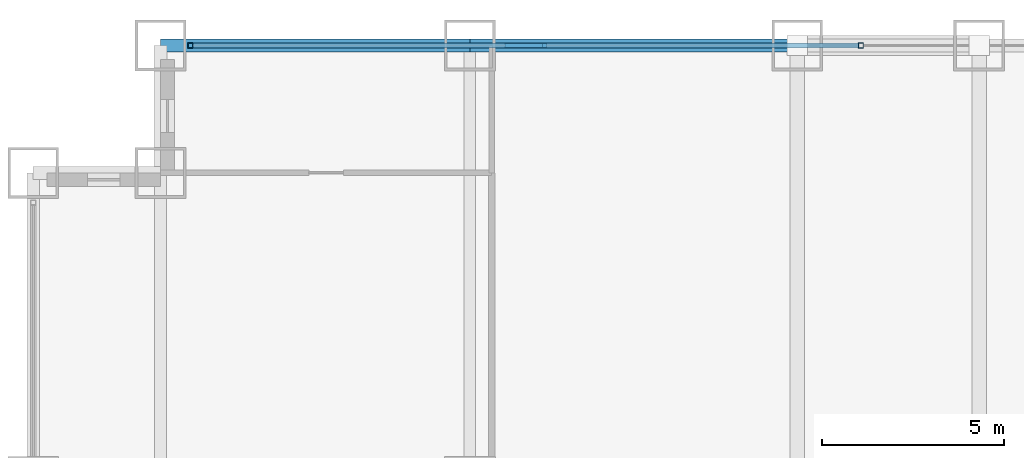
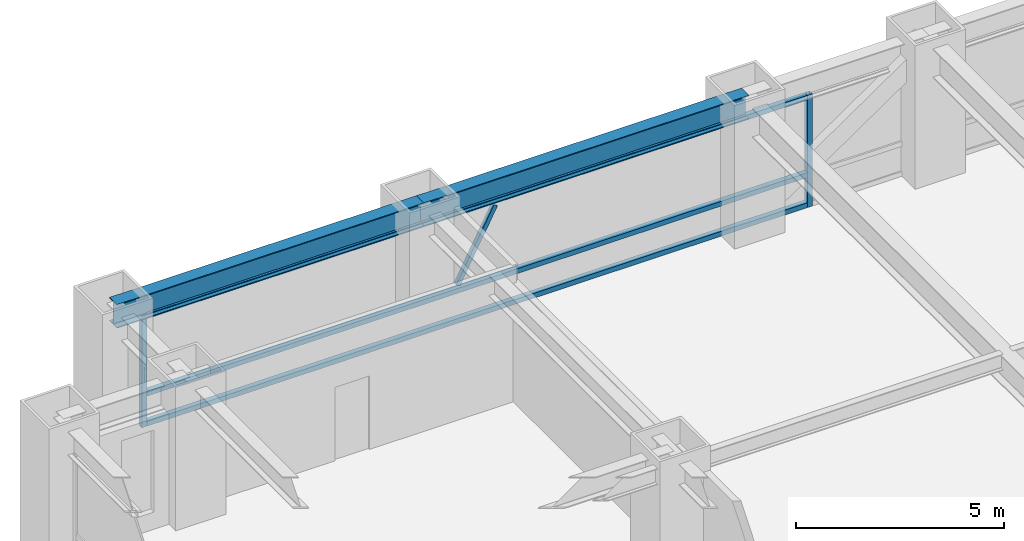
# One storey, part 19 of 28: 6 members, 2 beams, 1 element without a shape of its own.
"""IFC4 building model written with IfcOpenShell, lengths in metres."""

from ifc_helpers import new_model, si_unit, direction, frame, origin, origin_2d, place, context, subcontext, project, spatial, hollow_rectangle, i_section, extrude, source, transform, mapped, material, material_profile, profile_set, type_object, element, aggregate, save


model = new_model("IFC4")

# Units and contexts
model_context = context("Model", 3, precision=1e-05, world=origin(), true_north=direction((0.0, 1.0)))
body_context = subcontext(model_context, "Body", "Model", "MODEL_VIEW")
ifc_project = project(units=[si_unit("LENGTHUNIT", "METRE"), si_unit("AREAUNIT", "SQUARE_METRE"), si_unit("VOLUMEUNIT", "CUBIC_METRE"), si_unit("PLANEANGLEUNIT", "RADIAN"), si_unit("MASSUNIT", "GRAM", prefix="KILO")], contexts=[model_context])

# Site, building, storey
site_placement = place(None, origin())
site = spatial("IfcSite", under=ifc_project, at=site_placement, CompositionType="ELEMENT")
building_placement = place(site_placement, origin())
building = spatial("IfcBuilding", under=site, at=building_placement, Name="Khorayat Bourse Tower", CompositionType="ELEMENT")
storey_placement = place(building_placement, frame((0.0, 0.0, 57.800048828125)))
storey = spatial("IfcBuildingStorey", under=building, at=storey_placement, Name="L12", CompositionType="ELEMENT", Elevation=57.800048828125)

# Beams
ifc_material_1 = material(Name="Steel ASTM A992 Grade 50", Category="steel")
ifc_material_profile_1 = material_profile(ifc_material_1, i_section(OverallWidth=0.35498046875, OverallDepth=0.695068359375, WebThickness=0.015380859375, FlangeThickness=0.02490234375, FilletRadius=0.01806640625, at=origin_2d()), Name="W690X217")
ifc_profile_set_1 = profile_set([ifc_material_profile_1], Name="Steel ASTM A992 Grade 50")
beam_type = type_object("IfcBeamType", Name="BM-SPAN-690", PredefinedType="SPANDREL", material=ifc_profile_set_1)
shared_shape_1 = source(origin(), body_context, "Body", "SweptSolid", [
    extrude(i_section(OverallWidth=0.35498046875, OverallDepth=0.695068359375, WebThickness=0.015380859375, FlangeThickness=0.02490234375, FilletRadius=0.01806640625, at=origin_2d()), origin(), (0.0, 0.0, 1.0), 8.5),
])
beam_1_placement = place(storey_placement, frame((-28.5, 32.0, 3.592529296875), z_axis=(1.0, 0.0, 0.0), x_axis=(0.0, 1.0, 0.0)))
element("IfcBeam", 1, at=beam_1_placement, inside=storey, type_object=beam_type, Name="L12 BM-SPAN-690 BM-L12-SPN-051", PredefinedType="SPANDREL", context=body_context, shape_type="MappedRepresentation", body=[
    mapped(shared_shape_1, transform((0.0, 0.0, 0.0), scale=1.0)),
])
shared_shape_2 = source(origin(), body_context, "Body", "SweptSolid", [
    extrude(i_section(OverallWidth=0.35498046875, OverallDepth=0.695068359375, WebThickness=0.015380859375, FlangeThickness=0.02490234375, FilletRadius=0.01806640625, at=origin_2d()), origin(), (0.0, 0.0, 1.0), 9.0),
])
beam_2_placement = place(storey_placement, frame((-20.0, 32.0, 3.592529296875), z_axis=(1.0, 0.0, 0.0), x_axis=(0.0, 1.0, 0.0)))
element("IfcBeam", 2, at=beam_2_placement, inside=storey, type_object=beam_type, Name="L12 BM-SPAN-690 BM-L12-SPN-050", PredefinedType="SPANDREL", context=body_context, shape_type="MappedRepresentation", body=[
    mapped(shared_shape_2, transform((0.0, 0.0, 0.0), scale=1.0)),
])

# Curtain wall, members
ifc_material_2 = material(Name="Aluminium EN AW-6063 T6", Category="aluminium")
curtain_wall_type = type_object("IfcCurtainWallType", Name="CW-SYS-02", PredefinedType="NOTDEFINED", material=ifc_material_2)
curtain_wall_placement = place(storey_placement, origin())
curtain_wall = element("IfcCurtainWall", 3, at=curtain_wall_placement, inside=storey, type_object=curtain_wall_type, Name="L12 Curtain Wall CW-L12-N1", PredefinedType="NOTDEFINED")
ifc_material_profile_2 = material_profile(ifc_material_2, hollow_rectangle(XDim=0.139892578125, YDim=0.139892578125, WallThickness=0.006103515625, at=origin_2d()), Name="ALU 140x140x6")
ifc_profile_set_2 = profile_set([ifc_material_profile_2], Name="Aluminium EN AW-6063 T6")
member_type_1 = type_object("IfcMemberType", Name="CWT-HORZ-140", PredefinedType="USERDEFINED", material=ifc_profile_set_2)
shared_shape_3 = source(origin(), body_context, "Body", "SweptSolid", [
    extrude(hollow_rectangle(XDim=0.139892578125, YDim=0.139892578125, WallThickness=0.006103515625, at=origin_2d()), origin(), (0.0, 0.0, 1.0), 18.2900390625),
])
member_1_placement = place(storey_placement, frame((-27.610107421875, 32.0, 0.070068359375), z_axis=(1.0, 0.0, 0.0), x_axis=(0.0, 1.0, 0.0)))
member_1 = element("IfcMember", 4, at=member_1_placement, type_object=member_type_1, Name="CW-L12-N1 Horizontal Transom 1-1", ObjectType="TRANSOM", PredefinedType="USERDEFINED", context=body_context, shape_type="MappedRepresentation", body=[
    mapped(shared_shape_3, transform((0.0, 0.0, 0.0), scale=1.0)),
])
member_2_placement = place(storey_placement, frame((-27.610107421875, 32.0, 0.949951171875), z_axis=(1.0, 0.0, 0.0), x_axis=(0.0, 1.0, 0.0)))
member_2 = element("IfcMember", 5, at=member_2_placement, type_object=member_type_1, Name="CW-L12-N1 Horizontal Transom 1-2", ObjectType="TRANSOM", PredefinedType="USERDEFINED", context=body_context, shape_type="MappedRepresentation", body=[
    mapped(shared_shape_3, transform((0.0, 0.0, 0.0), scale=1.0)),
])
member_3_placement = place(storey_placement, frame((-27.610107421875, 32.0, 3.219970703125), z_axis=(1.0, 0.0, 0.0), x_axis=(0.0, 1.0, 0.0)))
member_3 = element("IfcMember", 6, at=member_3_placement, type_object=member_type_1, Name="CW-L12-N1 Horizontal Transom 1-3", ObjectType="TRANSOM", PredefinedType="USERDEFINED", context=body_context, shape_type="MappedRepresentation", body=[
    mapped(shared_shape_3, transform((0.0, 0.0, 0.0), scale=1.0)),
])
ifc_material_profile_3 = material_profile(ifc_material_2, hollow_rectangle(XDim=0.139892578125, YDim=0.139892578125, WallThickness=0.006103515625, at=origin_2d()), Name="ALU 140x140x6")
ifc_profile_set_3 = profile_set([ifc_material_profile_3], Name="Aluminium EN AW-6063 T6")
member_type_2 = type_object("IfcMemberType", Name="CWM-VERT-140", PredefinedType="MULLION", material=ifc_profile_set_3)
shared_shape_4 = source(origin(), body_context, "Body", "SweptSolid", [
    extrude(hollow_rectangle(XDim=0.139892578125, YDim=0.139892578125, WallThickness=0.006103515625, at=origin_2d()), origin(), (0.0, 0.0, 1.0), 3.2900390625),
])
member_4_placement = place(storey_placement, frame((-27.679931640625, 32.0, 0.0), z_axis=(0.0, 0.0, 1.0), x_axis=(0.0, 1.0, 0.0)))
member_4 = element("IfcMember", 7, at=member_4_placement, type_object=member_type_2, Name="CW-L12-N1 Vertical Mullion 1", PredefinedType="MULLION", context=body_context, shape_type="MappedRepresentation", body=[
    mapped(shared_shape_4, transform((0.0, 0.0, 0.0), scale=1.0)),
])
member_5_placement = place(storey_placement, frame((-9.25, 32.0, 0.0), z_axis=(0.0, 0.0, 1.0), x_axis=(0.0, 1.0, 0.0)))
member_5 = element("IfcMember", 8, at=member_5_placement, type_object=member_type_2, Name="CW-L12-N1 Vertical Mullion 2", PredefinedType="MULLION", context=body_context, shape_type="MappedRepresentation", body=[
    mapped(shared_shape_4, transform((0.0, 0.0, 0.0), scale=1.0)),
])
ifc_material_profile_4 = material_profile(ifc_material_2, hollow_rectangle(XDim=0.1201171875, YDim=0.1201171875, WallThickness=0.0048828125, at=origin_2d()), Name="ALU 120x120x5")
ifc_profile_set_4 = profile_set([ifc_material_profile_4], Name="Aluminium EN AW-6063 T6")
member_type_3 = type_object("IfcMemberType", Name="CWM-DIAG-120", PredefinedType="MULLION", material=ifc_profile_set_4)
shared_shape_5 = source(origin(), body_context, "Body", "SweptSolid", [
    extrude(hollow_rectangle(XDim=0.1201171875, YDim=0.1201171875, WallThickness=0.0048828125, at=origin_2d()), origin(), (0.0, 0.0, 1.0), 2.226318359375),
])
member_6_placement = place(storey_placement, frame((-18.9833984375, 32.0, 1.099853515625), z_axis=(0.465714796031, 0.0, 0.884934872608), x_axis=(0.0, 1.0, 0.0)))
member_6 = element("IfcMember", 9, at=member_6_placement, type_object=member_type_3, Name="CW-L12-N1 Faceted Diagonal Mullion 1", PredefinedType="MULLION", context=body_context, shape_type="MappedRepresentation", body=[
    mapped(shared_shape_5, transform((0.0, 0.0, 0.0), scale=1.0)),
])
aggregate(curtain_wall, [member_4, member_5, member_1, member_2, member_3, member_6])

save(model, "model.ifc")
